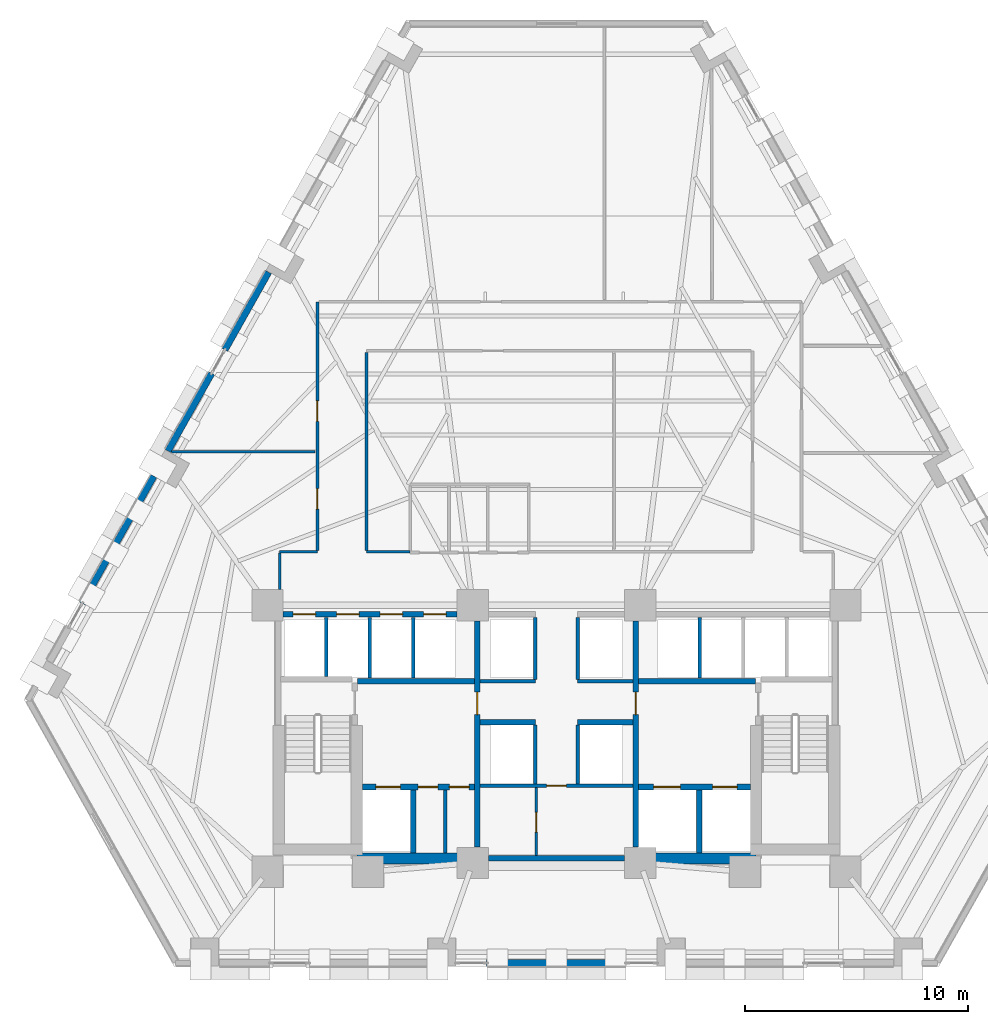
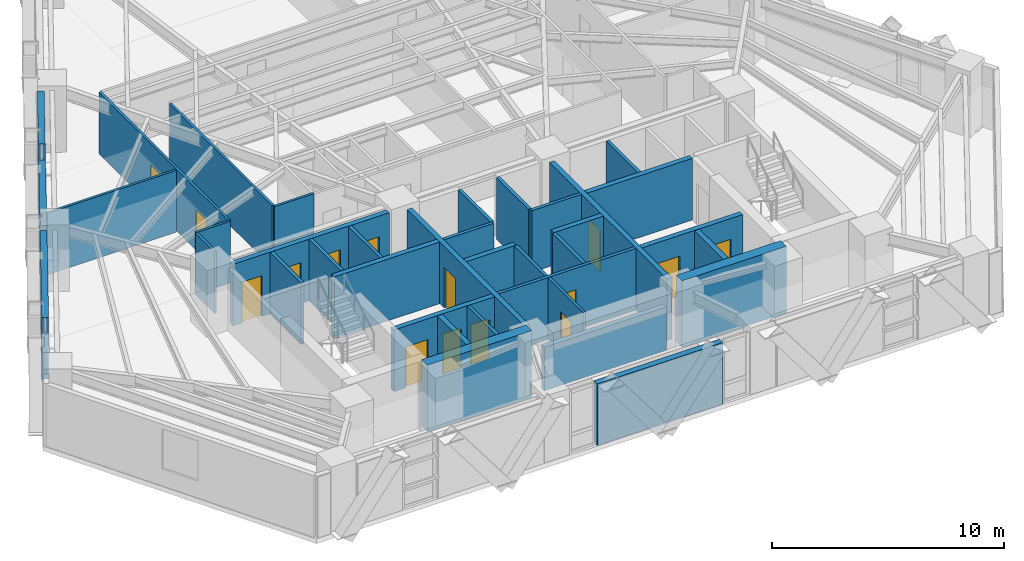
# One storey, part 7 of 13: 37 walls, 15 doors, 15 openings.
"""IFC4 building model written with IfcOpenShell, lengths in metres."""

from ifc_helpers import new_model, si_unit, direction, frame, frame_2d, origin, place, context, subcontext, project, spatial, rectangle, extrude, material, layer, layer_set, type_object, element, fill, save


model = new_model("IFC4")

# Units and contexts
model_context = context("Model", 3, precision=1e-05, world=origin(), true_north=direction((0.0, 1.0)))
body_context = subcontext(model_context, "Body", "Model", "MODEL_VIEW")
ifc_project = project(units=[si_unit("LENGTHUNIT", "METRE"), si_unit("AREAUNIT", "SQUARE_METRE"), si_unit("VOLUMEUNIT", "CUBIC_METRE"), si_unit("PLANEANGLEUNIT", "RADIAN"), si_unit("MASSUNIT", "GRAM", prefix="KILO")], contexts=[model_context])

# Site, building, storey
site_placement = place(None, origin())
site = spatial("IfcSite", under=ifc_project, at=site_placement, CompositionType="ELEMENT")
building_placement = place(site_placement, origin())
building = spatial("IfcBuilding", under=site, at=building_placement, Name="Quenlor Broadcast Tower", CompositionType="ELEMENT")
storey_placement = place(building_placement, frame((0.0, 0.0, 59.10009765625)))
storey = spatial("IfcBuildingStorey", under=building, at=storey_placement, Name="L15", CompositionType="ELEMENT", Elevation=59.10009765625)

# Walls
ifc_material_1 = material(Name="Concrete C65/80", Category="concrete")
ifc_layer_1 = layer(ifc_material_1, 0.5)
ifc_layer_set_1 = layer_set([ifc_layer_1], Name="Core Concrete C65/80 Shear Wall 500")
wall_type_1 = type_object("IfcWallType", Name="Core Concrete C65/80 Shear Wall 500", PredefinedType="SHEAR", material=ifc_layer_set_1)
for number, where, z_axis, x_axis, name in (
    (1, (-8.949951171875, -16.14990234375, 0.0), (0.0, 0.0, 1.0), (1.0, 0.0, 0.0), "L15 Core Shear Wall WS-W2"),
    (2, (3.75, -16.14990234375, 0.0), (0.0, 0.0, 1.0), (1.0, 0.0, 0.0), "L15 Core Shear Wall WS-E1"),
):
    element("IfcWall", number, at=place(storey_placement, frame(where, z_axis=z_axis, x_axis=x_axis)), inside=storey, type_object=wall_type_1, Name=name, PredefinedType="SHEAR", context=body_context, shape_type="SweptSolid", body=[
        extrude(rectangle(XDim=5.199951171875, YDim=0.5, at=frame_2d((2.60009765625, 0.0))), origin(), (0.0, 0.0, 1.0), 3.5),
    ])

# Wall, openings, doors
ifc_material_2 = material(Name="Concrete C40/50", Category="concrete")
ifc_layer_2 = layer(ifc_material_2, 0.25)
ifc_layer_set_2 = layer_set([ifc_layer_2], Name="Fire Rated Concrete C40/50 Core Wall 250")
wall_type_2 = type_object("IfcWallType", Name="Fire Rated Concrete C40/50 Core Wall 250", PredefinedType="PARTITIONING", material=ifc_layer_set_2)
wall_1_placement = place(storey_placement, frame((-8.697998046875, -12.949951171875, 0.0), z_axis=(0.0, 0.0, 1.0), x_axis=(1.0, 0.0, 0.0)))
wall_1 = element("IfcWall", 3, at=wall_1_placement, inside=storey, type_object=wall_type_2, Name="L15 Interior Wall CW-FFW-S", PredefinedType="PARTITIONING", context=body_context, shape_type="SweptSolid", body=[
    extrude(rectangle(XDim=5.01806640625, YDim=0.25, at=frame_2d((2.509033203125, 0.0))), origin(), (0.0, 0.0, 1.0), 3.25),
])
opening_1_placement = place(wall_1_placement, frame((0.597900390625, 0.0, 0.0)))
opening_1 = element("IfcOpeningElement", 4, at=opening_1_placement, cuts=wall_1, Name="Opening LD-FFL-1", PredefinedType="OPENING", context=body_context, shape_type="SweptSolid", body=[
    extrude(rectangle(XDim=1.10009765625, YDim=2.14990234375, at=frame_2d((0.550048828125, 1.074951171875))), frame((0.0, 0.135009765625, 0.0), z_axis=(0.0, -1.0, 0.0), x_axis=(1.0, 0.0, 0.0)), (0.0, 0.0, 1.0), 0.27001953125),
])
opening_2_placement = place(wall_1_placement, frame((2.498046875, 0.0, 0.0)))
opening_2 = element("IfcOpeningElement", 5, at=opening_2_placement, cuts=wall_1, Name="Opening TD-1", PredefinedType="OPENING", context=body_context, shape_type="SweptSolid", body=[
    extrude(rectangle(XDim=0.8798828125, YDim=2.10009765625, at=frame_2d((0.43994140625, 1.050048828125))), frame((0.0, 0.135009765625, 0.0), z_axis=(0.0, -1.0, 0.0), x_axis=(1.0, 0.0, 0.0)), (0.0, 0.0, 1.0), 0.27001953125),
])
opening_3_placement = place(wall_1_placement, frame((3.89794921875, 0.0, 0.0)))
opening_3 = element("IfcOpeningElement", 6, at=opening_3_placement, cuts=wall_1, Name="Opening TD-1", PredefinedType="OPENING", context=body_context, shape_type="SweptSolid", body=[
    extrude(rectangle(XDim=0.8798828125, YDim=2.10009765625, at=frame_2d((0.43994140625, 1.050048828125))), frame((0.0, 0.135009765625, 0.0), z_axis=(0.0, -1.0, 0.0), x_axis=(1.0, 0.0, 0.0)), (0.0, 0.0, 1.0), 0.27001953125),
])
ifc_material_3 = material(Name="Brushed Stainless Steel", Category="steel")
door_type_1 = type_object("IfcDoorType", Name="Emergency Lift Sliding Landing Door 1100x2150", OperationType="NOTDEFINED", PredefinedType="DOOR", material=ifc_material_3)
door_1_placement = place(opening_1_placement, origin())
door_1 = element("IfcDoor", 7, at=door_1_placement, inside=storey, type_object=door_type_1, Name="L15 Door LD-FFL-1", OperationType="SLIDING_TO_LEFT", OverallHeight=2.14990234375, OverallWidth=1.10009765625, PredefinedType="DOOR", context=body_context, shape_type="SweptSolid", body=[
    extrude(rectangle(XDim=1.10009765625, YDim=2.14990234375, at=frame_2d((0.550048828125, 1.074951171875))), frame((0.0, 0.02490234375, 0.0), z_axis=(0.0, -1.0, 0.0), x_axis=(1.0, 0.0, 0.0)), (0.0, 0.0, 1.0), 0.050048828125),
])
fill(opening_1, door_1)
ifc_material_4 = material(Name="Fire Rated Steel Access Panel", Category="steel")
door_type_2 = type_object("IfcDoorType", Name="Riser Shaft Rated Access Trapdoor 880x2100", OperationType="NOTDEFINED", PredefinedType="TRAPDOOR", material=ifc_material_4)
door_2_placement = place(opening_2_placement, origin())
door_2 = element("IfcDoor", 8, at=door_2_placement, inside=storey, type_object=door_type_2, Name="L15 Door DR-ELR", OperationType="SINGLE_SWING_LEFT", OverallHeight=2.10009765625, OverallWidth=0.8798828125, PredefinedType="TRAPDOOR", context=body_context, shape_type="SweptSolid", body=[
    extrude(rectangle(XDim=0.8798828125, YDim=2.10009765625, at=frame_2d((0.43994140625, 1.050048828125))), frame((0.0, 0.02490234375, 0.0), z_axis=(0.0, -1.0, 0.0), x_axis=(1.0, 0.0, 0.0)), (0.0, 0.0, 1.0), 0.050048828125),
])
fill(opening_2, door_2)
door_3_placement = place(opening_3_placement, origin())
door_3 = element("IfcDoor", 9, at=door_3_placement, inside=storey, type_object=door_type_2, Name="L15 Door DR-CMR", OperationType="SINGLE_SWING_RIGHT", OverallHeight=2.10009765625, OverallWidth=0.8798828125, PredefinedType="TRAPDOOR", context=body_context, shape_type="SweptSolid", body=[
    extrude(rectangle(XDim=0.8798828125, YDim=2.10009765625, at=frame_2d((0.43994140625, 1.050048828125))), frame((0.0, 0.02490234375, 0.0), z_axis=(0.0, -1.0, 0.0), x_axis=(1.0, 0.0, 0.0)), (0.0, 0.0, 1.0), 0.050048828125),
])
fill(opening_3, door_3)

wall_2_placement = place(storey_placement, frame((3.679931640625, -12.949951171875, 0.0), z_axis=(0.0, 0.0, 1.0), x_axis=(1.0, 0.0, 0.0)))
wall_2 = element("IfcWall", 10, at=wall_2_placement, inside=storey, type_object=wall_type_2, Name="L15 Interior Wall CW-FFE-S", PredefinedType="PARTITIONING", context=body_context, shape_type="SweptSolid", body=[
    extrude(rectangle(XDim=5.01806640625, YDim=0.25, at=frame_2d((2.509033203125, 0.0))), origin(), (0.0, 0.0, 1.0), 3.25),
])
opening_4_placement = place(wall_2_placement, frame((3.320068359375, 0.0, 0.0)))
opening_4 = element("IfcOpeningElement", 11, at=opening_4_placement, cuts=wall_2, Name="Opening LD-FFL-2", PredefinedType="OPENING", context=body_context, shape_type="SweptSolid", body=[
    extrude(rectangle(XDim=1.10009765625, YDim=2.14990234375, at=frame_2d((0.550048828125, 1.074951171875))), frame((0.0, 0.135009765625, 0.0), z_axis=(0.0, -1.0, 0.0), x_axis=(1.0, 0.0, 0.0)), (0.0, 0.0, 1.0), 0.27001953125),
])
opening_5_placement = place(wall_2_placement, frame((0.669921875, 0.0, 0.0)))
opening_5 = element("IfcOpeningElement", 12, at=opening_5_placement, cuts=wall_2, Name="Opening LD-SVL-1", PredefinedType="OPENING", context=body_context, shape_type="SweptSolid", body=[
    extrude(rectangle(XDim=1.199951171875, YDim=2.14990234375, at=frame_2d((0.60009765625, 1.074951171875))), frame((0.0, 0.135009765625, 0.0), z_axis=(0.0, -1.0, 0.0), x_axis=(1.0, 0.0, 0.0)), (0.0, 0.0, 1.0), 0.27001953125),
])
door_4_placement = place(opening_4_placement, origin())
door_4 = element("IfcDoor", 13, at=door_4_placement, inside=storey, type_object=door_type_1, Name="L15 Door LD-FFL-2", OperationType="SLIDING_TO_RIGHT", OverallHeight=2.14990234375, OverallWidth=1.10009765625, PredefinedType="DOOR", context=body_context, shape_type="SweptSolid", body=[
    extrude(rectangle(XDim=1.10009765625, YDim=2.14990234375, at=frame_2d((0.550048828125, 1.074951171875))), frame((0.0, 0.02490234375, 0.0), z_axis=(0.0, -1.0, 0.0), x_axis=(1.0, 0.0, 0.0)), (0.0, 0.0, 1.0), 0.050048828125),
])
fill(opening_4, door_4)
ifc_material_5 = material(Name="Brushed Stainless Steel", Category="steel")
door_type_3 = type_object("IfcDoorType", Name="Goods Lift Sliding Landing Door 1200x2150", OperationType="NOTDEFINED", PredefinedType="DOOR", material=ifc_material_5)
door_5_placement = place(opening_5_placement, origin())
door_5 = element("IfcDoor", 14, at=door_5_placement, inside=storey, type_object=door_type_3, Name="L15 Door LD-SVL-1", OperationType="SLIDING_TO_LEFT", OverallHeight=2.14990234375, OverallWidth=1.199951171875, PredefinedType="DOOR", context=body_context, shape_type="SweptSolid", body=[
    extrude(rectangle(XDim=1.199951171875, YDim=2.14990234375, at=frame_2d((0.60009765625, 1.074951171875))), frame((0.0, 0.02490234375, 0.0), z_axis=(0.0, -1.0, 0.0), x_axis=(1.0, 0.0, 0.0)), (0.0, 0.0, 1.0), 0.050048828125),
])
fill(opening_5, door_5)

# Walls
for number, where, z_axis, x_axis, name in (
    (15, (-6.419921875, -15.89794921875, 0.0), (0.0, 0.0, 1.0), (0.0, 1.0, 0.0), "L15 Interior Wall CW-FF1-E"),
    (16, (6.39990234375, -15.89794921875, 0.0), (0.0, 0.0, 1.0), (0.0, 1.0, 0.0), "L15 Interior Wall CW-SV1-E"),
):
    element("IfcWall", number, at=place(storey_placement, frame(where, z_axis=z_axis, x_axis=x_axis)), inside=storey, type_object=wall_type_2, Name=name, PredefinedType="PARTITIONING", context=body_context, shape_type="SweptSolid", body=[
        extrude(rectangle(XDim=2.807861328125, YDim=0.25, at=frame_2d((1.40380859375, 0.0))), origin(), (0.0, 0.0, 1.0), 3.25),
    ])
for number, where, z_axis, x_axis, name in (
    (17, (-8.919921875, -8.199951171875, 0.0), (0.0, 0.0, 1.0), (1.0, 0.0, 0.0), "L15 Interior Wall CW-FFW-N"),
    (18, (3.679931640625, -8.199951171875, 0.0), (0.0, 0.0, 1.0), (1.0, 0.0, 0.0), "L15 Interior Wall CW-FFE-N"),
):
    element("IfcWall", number, at=place(storey_placement, frame(where, z_axis=z_axis, x_axis=x_axis)), inside=storey, type_object=wall_type_2, Name=name, PredefinedType="PARTITIONING", context=body_context, shape_type="SweptSolid", body=[
        extrude(rectangle(XDim=5.239990234375, YDim=0.25, at=frame_2d((2.6201171875, 0.0))), origin(), (0.0, 0.0, 1.0), 3.25),
    ])

# Wall, opening, door
wall_3_placement = place(storey_placement, frame((-3.550048828125, -15.64794921875, 0.0), z_axis=(0.0, 0.0, 1.0), x_axis=(0.0, 1.0, 0.0)))
wall_3 = element("IfcWall", 19, at=wall_3_placement, inside=storey, type_object=wall_type_2, Name="L15 Interior Wall CW-FFW-E", PredefinedType="PARTITIONING", context=body_context, shape_type="SweptSolid", body=[
    extrude(rectangle(XDim=10.14599609375, YDim=0.25, at=frame_2d((5.072998046875, 0.0))), origin(), (0.0, 0.0, 1.0), 3.25),
])
opening_6_placement = place(wall_3_placement, frame((5.947998046875, 0.0, 0.0)))
opening_6 = element("IfcOpeningElement", 20, at=opening_6_placement, cuts=wall_3, Name="Opening FD-2", PredefinedType="OPENING", context=body_context, shape_type="SweptSolid", body=[
    extrude(rectangle(XDim=1.0, YDim=2.14990234375, at=frame_2d((0.5, 1.074951171875))), frame((0.0, 0.135009765625, 0.0), z_axis=(0.0, -1.0, 0.0), x_axis=(1.0, 0.0, 0.0)), (0.0, 0.0, 1.0), 0.27001953125),
])
ifc_material_6 = material(Name="Fire Rated Glazed Steel Door", Category="steel")
door_type_4 = type_object("IfcDoorType", Name="Firefighting Lobby Smoke Door 1000x2150", OperationType="NOTDEFINED", PredefinedType="DOOR", material=ifc_material_6)
door_6_placement = place(opening_6_placement, origin())
door_6 = element("IfcDoor", 21, at=door_6_placement, inside=storey, type_object=door_type_4, Name="L15 Door DR-FFLW", OperationType="SINGLE_SWING_RIGHT", OverallHeight=2.14990234375, OverallWidth=1.0, PredefinedType="DOOR", context=body_context, shape_type="SweptSolid", body=[
    extrude(rectangle(XDim=1.0, YDim=2.14990234375, at=frame_2d((0.5, 1.074951171875))), frame((0.0, 0.02490234375, 0.0), z_axis=(0.0, -1.0, 0.0), x_axis=(1.0, 0.0, 0.0)), (0.0, 0.0, 1.0), 0.050048828125),
])
fill(opening_6, door_6)

wall_4_placement = place(storey_placement, frame((3.550048828125, -15.64794921875, 0.0), z_axis=(0.0, 0.0, 1.0), x_axis=(0.0, 1.0, 0.0)))
wall_4 = element("IfcWall", 22, at=wall_4_placement, inside=storey, type_object=wall_type_2, Name="L15 Interior Wall CW-FFE-W", PredefinedType="PARTITIONING", context=body_context, shape_type="SweptSolid", body=[
    extrude(rectangle(XDim=10.14599609375, YDim=0.25, at=frame_2d((5.072998046875, 0.0))), origin(), (0.0, 0.0, 1.0), 3.25),
])
opening_7_placement = place(wall_4_placement, frame((5.947998046875, 0.0, 0.0)))
opening_7 = element("IfcOpeningElement", 23, at=opening_7_placement, cuts=wall_4, Name="Opening FD-2", PredefinedType="OPENING", context=body_context, shape_type="SweptSolid", body=[
    extrude(rectangle(XDim=1.0, YDim=2.14990234375, at=frame_2d((0.5, 1.074951171875))), frame((0.0, 0.135009765625, 0.0), z_axis=(0.0, -1.0, 0.0), x_axis=(1.0, 0.0, 0.0)), (0.0, 0.0, 1.0), 0.27001953125),
])
door_7_placement = place(opening_7_placement, origin())
door_7 = element("IfcDoor", 24, at=door_7_placement, inside=storey, type_object=door_type_4, Name="L15 Door DR-FFLE", OperationType="SINGLE_SWING_LEFT", OverallHeight=2.14990234375, OverallWidth=1.0, PredefinedType="DOOR", context=body_context, shape_type="SweptSolid", body=[
    extrude(rectangle(XDim=1.0, YDim=2.14990234375, at=frame_2d((0.5, 1.074951171875))), frame((0.0, 0.02490234375, 0.0), z_axis=(0.0, -1.0, 0.0), x_axis=(1.0, 0.0, 0.0)), (0.0, 0.0, 1.0), 0.050048828125),
])
fill(opening_7, door_7)

# Wall, openings, doors
wall_5_placement = place(storey_placement, frame((-12.248046875, -5.199951171875, 0.0), z_axis=(0.0, 0.0, 1.0), x_axis=(1.0, 0.0, 0.0)))
wall_5 = element("IfcWall", 25, at=wall_5_placement, inside=storey, type_object=wall_type_2, Name="L15 Interior Wall CW-N-W", PredefinedType="PARTITIONING", context=body_context, shape_type="SweptSolid", body=[
    extrude(rectangle(XDim=7.796142578125, YDim=0.25, at=frame_2d((3.89794921875, 0.0))), origin(), (0.0, 0.0, 1.0), 3.25),
])
opening_8_placement = place(wall_5_placement, frame((0.447998046875, 0.0, 0.0)))
opening_8 = element("IfcOpeningElement", 26, at=opening_8_placement, cuts=wall_5, Name="Opening LD-PL-L1", PredefinedType="OPENING", context=body_context, shape_type="SweptSolid", body=[
    extrude(rectangle(XDim=1.0, YDim=2.14990234375, at=frame_2d((0.5, 1.074951171875))), frame((0.0, 0.135009765625, 0.0), z_axis=(0.0, -1.0, 0.0), x_axis=(1.0, 0.0, 0.0)), (0.0, 0.0, 1.0), 0.27001953125),
])
opening_9_placement = place(wall_5_placement, frame((2.39794921875, 0.0, 0.0)))
opening_9 = element("IfcOpeningElement", 27, at=opening_9_placement, cuts=wall_5, Name="Opening LD-PL-L2", PredefinedType="OPENING", context=body_context, shape_type="SweptSolid", body=[
    extrude(rectangle(XDim=1.0, YDim=2.14990234375, at=frame_2d((0.5, 1.074951171875))), frame((0.0, 0.135009765625, 0.0), z_axis=(0.0, -1.0, 0.0), x_axis=(1.0, 0.0, 0.0)), (0.0, 0.0, 1.0), 0.27001953125),
])
opening_10_placement = place(wall_5_placement, frame((4.347900390625, 0.0, 0.0)))
opening_10 = element("IfcOpeningElement", 28, at=opening_10_placement, cuts=wall_5, Name="Opening LD-PL-L3", PredefinedType="OPENING", context=body_context, shape_type="SweptSolid", body=[
    extrude(rectangle(XDim=1.0, YDim=2.14990234375, at=frame_2d((0.5, 1.074951171875))), frame((0.0, 0.135009765625, 0.0), z_axis=(0.0, -1.0, 0.0), x_axis=(1.0, 0.0, 0.0)), (0.0, 0.0, 1.0), 0.27001953125),
])
opening_11_placement = place(wall_5_placement, frame((6.298095703125, 0.0, 0.0)))
opening_11 = element("IfcOpeningElement", 29, at=opening_11_placement, cuts=wall_5, Name="Opening LD-PL-L4", PredefinedType="OPENING", context=body_context, shape_type="SweptSolid", body=[
    extrude(rectangle(XDim=1.0, YDim=2.14990234375, at=frame_2d((0.5, 1.074951171875))), frame((0.0, 0.135009765625, 0.0), z_axis=(0.0, -1.0, 0.0), x_axis=(1.0, 0.0, 0.0)), (0.0, 0.0, 1.0), 0.27001953125),
])
ifc_material_7 = material(Name="Brushed Stainless Steel", Category="steel")
door_type_5 = type_object("IfcDoorType", Name="Passenger Lift Sliding Landing Door 1000x2150", OperationType="NOTDEFINED", PredefinedType="DOOR", material=ifc_material_7)
door_8_placement = place(opening_8_placement, origin())
door_8 = element("IfcDoor", 30, at=door_8_placement, inside=storey, type_object=door_type_5, Name="L15 Door LD-PL-L1", OperationType="SLIDING_TO_LEFT", OverallHeight=2.14990234375, OverallWidth=1.0, PredefinedType="DOOR", context=body_context, shape_type="SweptSolid", body=[
    extrude(rectangle(XDim=1.0, YDim=2.14990234375, at=frame_2d((0.5, 1.074951171875))), frame((0.0, 0.02490234375, 0.0), z_axis=(0.0, -1.0, 0.0), x_axis=(1.0, 0.0, 0.0)), (0.0, 0.0, 1.0), 0.050048828125),
])
fill(opening_8, door_8)
door_9_placement = place(opening_9_placement, origin())
door_9 = element("IfcDoor", 31, at=door_9_placement, inside=storey, type_object=door_type_5, Name="L15 Door LD-PL-L2", OperationType="SLIDING_TO_LEFT", OverallHeight=2.14990234375, OverallWidth=1.0, PredefinedType="DOOR", context=body_context, shape_type="SweptSolid", body=[
    extrude(rectangle(XDim=1.0, YDim=2.14990234375, at=frame_2d((0.5, 1.074951171875))), frame((0.0, 0.02490234375, 0.0), z_axis=(0.0, -1.0, 0.0), x_axis=(1.0, 0.0, 0.0)), (0.0, 0.0, 1.0), 0.050048828125),
])
fill(opening_9, door_9)
door_10_placement = place(opening_10_placement, origin())
door_10 = element("IfcDoor", 32, at=door_10_placement, inside=storey, type_object=door_type_5, Name="L15 Door LD-PL-L3", OperationType="SLIDING_TO_LEFT", OverallHeight=2.14990234375, OverallWidth=1.0, PredefinedType="DOOR", context=body_context, shape_type="SweptSolid", body=[
    extrude(rectangle(XDim=1.0, YDim=2.14990234375, at=frame_2d((0.5, 1.074951171875))), frame((0.0, 0.02490234375, 0.0), z_axis=(0.0, -1.0, 0.0), x_axis=(1.0, 0.0, 0.0)), (0.0, 0.0, 1.0), 0.050048828125),
])
fill(opening_10, door_10)
door_11_placement = place(opening_11_placement, origin())
door_11 = element("IfcDoor", 33, at=door_11_placement, inside=storey, type_object=door_type_5, Name="L15 Door LD-PL-L4", OperationType="SLIDING_TO_LEFT", OverallHeight=2.14990234375, OverallWidth=1.0, PredefinedType="DOOR", context=body_context, shape_type="SweptSolid", body=[
    extrude(rectangle(XDim=1.0, YDim=2.14990234375, at=frame_2d((0.5, 1.074951171875))), frame((0.0, 0.02490234375, 0.0), z_axis=(0.0, -1.0, 0.0), x_axis=(1.0, 0.0, 0.0)), (0.0, 0.0, 1.0), 0.050048828125),
])
fill(opening_11, door_11)

# Walls
wall_6_placement = place(storey_placement, frame((-3.048095703125, -16.14990234375, 0.0), z_axis=(0.0, 0.0, 1.0), x_axis=(1.0, 0.0, 0.0)))
element("IfcWall", 34, at=wall_6_placement, inside=storey, type_object=wall_type_2, Name="L15 Interior Wall CW-MS-S", PredefinedType="PARTITIONING", context=body_context, shape_type="SweptSolid", body=[
    extrude(rectangle(XDim=6.09619140625, YDim=0.25, at=frame_2d((3.048095703125, 0.0))), origin(), (0.0, 0.0, 1.0), 2.2998046875),
])
for number, where, z_axis, x_axis, name in (
    (35, (-3.419921875, -10.050048828125, 0.0), (0.0, 0.0, 1.0), (1.0, 0.0, 0.0), "L15 Interior Wall CW-MS-N1"),
    (36, (0.949951171875, -10.050048828125, 0.0), (0.0, 0.0, 1.0), (1.0, 0.0, 0.0), "L15 Interior Wall CW-MS-N2"),
):
    element("IfcWall", number, at=place(storey_placement, frame(where, z_axis=z_axis, x_axis=x_axis)), inside=storey, type_object=wall_type_2, Name=name, PredefinedType="PARTITIONING", context=body_context, shape_type="SweptSolid", body=[
        extrude(rectangle(XDim=2.469970703125, YDim=0.25, at=frame_2d((1.23486328125, 0.0))), origin(), (0.0, 0.0, 1.0), 3.25),
    ])
ifc_material_8 = material(Name="Gypsum Fireboard Partition", Category="other")
ifc_layer_3 = layer(ifc_material_8, 0.159912109375)
ifc_layer_set_3 = layer_set([ifc_layer_3], Name="Fire Rated Shaft and Corridor Partition 160")
wall_type_3 = type_object("IfcWallType", Name="Fire Rated Shaft and Corridor Partition 160", PredefinedType="PARTITIONING", material=ifc_layer_set_3)
wall_7_placement = place(storey_placement, frame((-4.97998046875, -15.89794921875, 0.0), z_axis=(0.0, 0.0, 1.0), x_axis=(0.0, 1.0, 0.0)))
element("IfcWall", 37, at=wall_7_placement, inside=storey, type_object=wall_type_3, Name="L15 Interior Wall CW-ELR-E", PredefinedType="PARTITIONING", context=body_context, shape_type="SweptSolid", body=[
    extrude(rectangle(XDim=2.807861328125, YDim=0.159912109375, at=frame_2d((1.40380859375, 0.0))), origin(), (0.0, 0.0, 1.0), 3.25),
])
wall_8_placement = place(storey_placement, frame((-10.324951171875, -7.992919921875, 0.0), z_axis=(0.0, 0.0, 1.0), x_axis=(0.0, 1.0, 0.0)))
element("IfcWall", 38, at=wall_8_placement, inside=storey, type_object=wall_type_3, Name="L15 Interior Wall CW-PLL-D1", PredefinedType="PARTITIONING", context=body_context, shape_type="SweptSolid", body=[
    extrude(rectangle(XDim=2.65283203125, YDim=0.159912109375, at=frame_2d((1.326416015625, 0.0))), origin(), (0.0, 0.0, 1.0), 3.25),
])
for number, where, z_axis, x_axis, name in (
    (39, (-8.375, -8.072998046875, 0.0), (0.0, 0.0, 1.0), (0.0, 1.0, 0.0), "L15 Interior Wall CW-PLL-D2"),
    (40, (-6.425048828125, -8.072998046875, 0.0), (0.0, 0.0, 1.0), (0.0, 1.0, 0.0), "L15 Interior Wall CW-PLL-D3"),
    (41, (6.425048828125, -8.072998046875, 0.0), (0.0, 0.0, 1.0), (0.0, 1.0, 0.0), "L15 Interior Wall CW-PLH-D1"),
):
    element("IfcWall", number, at=place(storey_placement, frame(where, z_axis=z_axis, x_axis=x_axis)), inside=storey, type_object=wall_type_3, Name=name, PredefinedType="PARTITIONING", context=body_context, shape_type="SweptSolid", body=[
        extrude(rectangle(XDim=2.73291015625, YDim=0.159912109375, at=frame_2d((1.366455078125, 0.0))), origin(), (0.0, 0.0, 1.0), 3.25),
    ])
for number, where, z_axis, x_axis, name in (
    (42, (-0.949951171875, -8.1201171875, 0.0), (0.0, 0.0, 1.0), (0.0, 1.0, 0.0), "L15 Interior Wall CW-CCRP-W"),
    (43, (0.949951171875, -8.1201171875, 0.0), (0.0, 0.0, 1.0), (0.0, 1.0, 0.0), "L15 Interior Wall CW-CCRP-E"),
):
    element("IfcWall", number, at=place(storey_placement, frame(where, z_axis=z_axis, x_axis=x_axis)), inside=storey, type_object=wall_type_3, Name=name, PredefinedType="PARTITIONING", context=body_context, shape_type="SweptSolid", body=[
        extrude(rectangle(XDim=2.780029296875, YDim=0.159912109375, at=frame_2d((1.39013671875, 0.0))), origin(), (0.0, 0.0, 1.0), 3.25),
    ])
for number, where, z_axis, x_axis, name in (
    (44, (-3.419921875, -8.199951171875, 0.0), (0.0, 0.0, 1.0), (1.0, 0.0, 0.0), "L15 Interior Wall CW-M-BACK1"),
    (45, (0.949951171875, -8.199951171875, 0.0), (0.0, 0.0, 1.0), (1.0, 0.0, 0.0), "L15 Interior Wall CW-M-BACK2"),
):
    element("IfcWall", number, at=place(storey_placement, frame(where, z_axis=z_axis, x_axis=x_axis)), inside=storey, type_object=wall_type_3, Name=name, PredefinedType="PARTITIONING", context=body_context, shape_type="SweptSolid", body=[
        extrude(rectangle(XDim=2.469970703125, YDim=0.159912109375, at=frame_2d((1.23486328125, 0.0))), origin(), (0.0, 0.0, 1.0), 3.25),
    ])

# Wall, opening, door
wall_9_placement = place(storey_placement, frame((-3.419921875, -12.89990234375, 0.0), z_axis=(0.0, 0.0, 1.0), x_axis=(1.0, 0.0, 0.0)))
wall_9 = element("IfcWall", 46, at=wall_9_placement, inside=storey, type_object=wall_type_3, Name="L15 Interior Wall CW-MS-B", PredefinedType="PARTITIONING", context=body_context, shape_type="SweptSolid", body=[
    extrude(rectangle(XDim=6.83984375, YDim=0.159912109375, at=frame_2d((3.419921875, 0.0))), origin(), (0.0, 0.0, 1.0), 3.25),
])
opening_12_placement = place(wall_9_placement, frame((2.97998046875, 0.0, 0.0)))
opening_12 = element("IfcOpeningElement", 47, at=opening_12_placement, cuts=wall_9, Name="Opening ID-4", PredefinedType="OPENING", context=body_context, shape_type="SweptSolid", body=[
    extrude(rectangle(XDim=0.8798828125, YDim=2.1201171875, at=frame_2d((0.43994140625, 1.06005859375))), frame((0.0, 0.08984375, 0.0), z_axis=(0.0, -1.0, 0.0), x_axis=(1.0, 0.0, 0.0)), (0.0, 0.0, 1.0), 0.179931640625),
])
ifc_material_9 = material(Name="Solid Core Timber Oak", Category="wood")
door_type_6 = type_object("IfcDoorType", Name="Service Closet Timber Door 880x2120", OperationType="NOTDEFINED", PredefinedType="DOOR", material=ifc_material_9)
door_12_placement = place(opening_12_placement, origin())
door_12 = element("IfcDoor", 48, at=door_12_placement, inside=storey, type_object=door_type_6, Name="L15 Door DR-CSV0", OperationType="SINGLE_SWING_LEFT", OverallHeight=2.1201171875, OverallWidth=0.8798828125, PredefinedType="DOOR", context=body_context, shape_type="SweptSolid", body=[
    extrude(rectangle(XDim=0.8798828125, YDim=2.1201171875, at=frame_2d((0.43994140625, 1.06005859375))), frame((0.0, 0.02490234375, 0.0), z_axis=(0.0, -1.0, 0.0), x_axis=(1.0, 0.0, 0.0)), (0.0, 0.0, 1.0), 0.050048828125),
])
fill(opening_12, door_12)

# Walls
for number, where, z_axis, x_axis, name in (
    (49, (-0.949951171875, -12.818115234375, 0.0), (0.0, 0.0, 1.0), (0.0, 1.0, 0.0), "L15 Interior Wall CW-MS-W"),
    (50, (0.949951171875, -12.818115234375, 0.0), (0.0, 0.0, 1.0), (0.0, 1.0, 0.0), "L15 Interior Wall CW-MS-E"),
):
    element("IfcWall", number, at=place(storey_placement, frame(where, z_axis=z_axis, x_axis=x_axis)), inside=storey, type_object=wall_type_3, Name=name, PredefinedType="PARTITIONING", context=body_context, shape_type="SweptSolid", body=[
        extrude(rectangle(XDim=2.63818359375, YDim=0.159912109375, at=frame_2d((1.319091796875, 0.0))), origin(), (0.0, 0.0, 1.0), 3.25),
    ])

# Wall, opening, door
ifc_material_10 = material(Name="Gypsum Plasterboard Partition", Category="other")
ifc_layer_4 = layer(ifc_material_10, 0.1201171875)
ifc_layer_set_4 = layer_set([ifc_layer_4], Name="Standard Office Partition 120")
wall_type_4 = type_object("IfcWallType", Name="Standard Office Partition 120", PredefinedType="PARTITIONING", material=ifc_layer_set_4)
wall_10_placement = place(storey_placement, frame((-0.909912109375, -16.02001953125, 0.0), z_axis=(0.0, 0.0, 1.0), x_axis=(0.0, 1.0, 0.0)))
wall_10 = element("IfcWall", 51, at=wall_10_placement, inside=storey, type_object=wall_type_4, Name="L15 Interior Wall CW-CSV-W1", PredefinedType="PARTITIONING", context=body_context, shape_type="SweptSolid", body=[
    extrude(rectangle(XDim=3.0380859375, YDim=0.1201171875, at=frame_2d((1.51904296875, 0.0))), origin(), (0.0, 0.0, 1.0), 3.25),
])
opening_13_placement = place(wall_10_placement, frame((1.050048828125, 0.0, 0.0)))
opening_13 = element("IfcOpeningElement", 52, at=opening_13_placement, cuts=wall_10, Name="Opening ID-4", PredefinedType="OPENING", context=body_context, shape_type="SweptSolid", body=[
    extrude(rectangle(XDim=0.8798828125, YDim=2.1201171875, at=frame_2d((0.43994140625, 1.06005859375))), frame((0.0, 0.070068359375, 0.0), z_axis=(0.0, -1.0, 0.0), x_axis=(1.0, 0.0, 0.0)), (0.0, 0.0, 1.0), 0.14013671875),
])
door_13_placement = place(opening_13_placement, origin())
door_13 = element("IfcDoor", 53, at=door_13_placement, inside=storey, type_object=door_type_6, Name="L15 Door DR-CSV1", OperationType="SINGLE_SWING_LEFT", OverallHeight=2.1201171875, OverallWidth=0.8798828125, PredefinedType="DOOR", context=body_context, shape_type="SweptSolid", body=[
    extrude(rectangle(XDim=0.8798828125, YDim=2.1201171875, at=frame_2d((0.43994140625, 1.06005859375))), frame((0.0, 0.02490234375, 0.0), z_axis=(0.0, -1.0, 0.0), x_axis=(1.0, 0.0, 0.0)), (0.0, 0.0, 1.0), 0.050048828125),
])
fill(opening_13, door_13)

# Wall
wall_11_placement = place(storey_placement, frame((-12.409912109375, -2.39990234375, 0.0), z_axis=(0.0, 0.0, 1.0), x_axis=(1.0, 0.0, 0.0)))
element("IfcWall", 54, at=wall_11_placement, inside=storey, type_object=wall_type_4, Name="L15 Interior Wall PW-CR-01", PredefinedType="PARTITIONING", context=body_context, shape_type="SweptSolid", body=[
    extrude(rectangle(XDim=1.69482421875, YDim=0.1201171875, at=frame_2d((0.847412109375, 0.0))), origin(), (0.0, 0.0, 1.0), 3.25),
])

# Wall, openings, doors
wall_12_placement = place(storey_placement, frame((-10.715087890625, -2.337890625, 0.0), z_axis=(0.0, 0.0, 1.0), x_axis=(0.0, 1.0, 0.0)))
wall_12 = element("IfcWall", 55, at=wall_12_placement, inside=storey, type_object=wall_type_4, Name="L15 Interior Wall PW-CR-02", PredefinedType="PARTITIONING", context=body_context, shape_type="SweptSolid", body=[
    extrude(rectangle(XDim=11.137939453125, YDim=0.1201171875, at=frame_2d((5.56884765625, 0.0))), origin(), (0.0, 0.0, 1.0), 3.25),
])
opening_14_placement = place(wall_12_placement, frame((5.778076171875, 0.0, 0.0)))
opening_14 = element("IfcOpeningElement", 56, at=opening_14_placement, cuts=wall_12, Name="Opening ID-1", PredefinedType="OPENING", context=body_context, shape_type="SweptSolid", body=[
    extrude(rectangle(XDim=0.919921875, YDim=2.1201171875, at=frame_2d((0.4599609375, 1.06005859375))), frame((0.0, 0.070068359375, 0.0), z_axis=(0.0, -1.0, 0.0), x_axis=(1.0, 0.0, 0.0)), (0.0, 0.0, 1.0), 0.14013671875),
])
opening_15_placement = place(wall_12_placement, frame((1.846923828125, 0.0, 0.0)))
opening_15 = element("IfcOpeningElement", 57, at=opening_15_placement, cuts=wall_12, Name="Opening ID-1", PredefinedType="OPENING", context=body_context, shape_type="SweptSolid", body=[
    extrude(rectangle(XDim=0.919921875, YDim=2.1201171875, at=frame_2d((0.4599609375, 1.06005859375))), frame((0.0, 0.070068359375, 0.0), z_axis=(0.0, -1.0, 0.0), x_axis=(1.0, 0.0, 0.0)), (0.0, 0.0, 1.0), 0.14013671875),
])
ifc_material_11 = material(Name="Solid Core Timber Oak", Category="wood")
door_type_7 = type_object("IfcDoorType", Name="Single Leaf Timber Office Door 920x2120", OperationType="NOTDEFINED", PredefinedType="DOOR", material=ifc_material_11)
door_14_placement = place(opening_14_placement, origin())
door_14 = element("IfcDoor", 58, at=door_14_placement, inside=storey, type_object=door_type_7, Name="L15 Door DR-RM05", OperationType="SINGLE_SWING_LEFT", OverallHeight=2.1201171875, OverallWidth=0.919921875, PredefinedType="DOOR", context=body_context, shape_type="SweptSolid", body=[
    extrude(rectangle(XDim=0.919921875, YDim=2.1201171875, at=frame_2d((0.4599609375, 1.06005859375))), frame((0.0, 0.02490234375, 0.0), z_axis=(0.0, -1.0, 0.0), x_axis=(1.0, 0.0, 0.0)), (0.0, 0.0, 1.0), 0.050048828125),
])
fill(opening_14, door_14)
door_15_placement = place(opening_15_placement, origin())
door_15 = element("IfcDoor", 59, at=door_15_placement, inside=storey, type_object=door_type_7, Name="L15 Door DR-RM08", OperationType="SINGLE_SWING_RIGHT", OverallHeight=2.1201171875, OverallWidth=0.919921875, PredefinedType="DOOR", context=body_context, shape_type="SweptSolid", body=[
    extrude(rectangle(XDim=0.919921875, YDim=2.1201171875, at=frame_2d((0.4599609375, 1.06005859375))), frame((0.0, 0.02490234375, 0.0), z_axis=(0.0, -1.0, 0.0), x_axis=(1.0, 0.0, 0.0)), (0.0, 0.0, 1.0), 0.050048828125),
])
fill(opening_15, door_15)

# Walls
wall_13_placement = place(storey_placement, frame((-12.409912109375, -4.097900390625, 0.0), z_axis=(0.0, 0.0, 1.0), x_axis=(0.0, 1.0, 0.0)))
element("IfcWall", 60, at=wall_13_placement, inside=storey, type_object=wall_type_4, Name="L15 Interior Wall PW-CR-07", PredefinedType="PARTITIONING", context=body_context, shape_type="SweptSolid", body=[
    extrude(rectangle(XDim=1.635986328125, YDim=0.1201171875, at=frame_2d((0.81787109375, 0.0))), origin(), (0.0, 0.0, 1.0), 3.25),
])
wall_14_placement = place(storey_placement, frame((-8.514892578125, -2.39990234375, 0.0), z_axis=(0.0, 0.0, 1.0), x_axis=(1.0, 0.0, 0.0)))
element("IfcWall", 61, at=wall_14_placement, inside=storey, type_object=wall_type_4, Name="L15 Interior Wall PW-CR-08", PredefinedType="PARTITIONING", context=body_context, shape_type="SweptSolid", body=[
    extrude(rectangle(XDim=1.952880859375, YDim=0.1201171875, at=frame_2d((0.9765625, 0.0))), origin(), (0.0, 0.0, 1.0), 3.25),
])
wall_15_placement = place(storey_placement, frame((-8.514892578125, 6.5380859375, 0.0), z_axis=(0.0, 0.0, 1.0), x_axis=(0.0, -1.0, 0.0)))
element("IfcWall", 62, at=wall_15_placement, inside=storey, type_object=wall_type_4, Name="L15 Interior Wall PW-CR-11", PredefinedType="PARTITIONING", context=body_context, shape_type="SweptSolid", body=[
    extrude(rectangle(XDim=8.8759765625, YDim=0.1201171875, at=frame_2d((4.43798828125, 0.0))), origin(), (0.0, 0.0, 1.0), 3.25),
])
wall_16_placement = place(storey_placement, frame((-10.824951171875, 2.080078125, 0.0), z_axis=(0.0, 0.0, 1.0), x_axis=(-1.0, 0.0, 0.0)))
element("IfcWall", 63, at=wall_16_placement, inside=storey, type_object=wall_type_4, Name="L15 Interior Wall PW-DV-05", PredefinedType="PARTITIONING", context=body_context, shape_type="SweptSolid", body=[
    extrude(rectangle(XDim=6.4345703125, YDim=0.1201171875, at=frame_2d((3.21728515625, 0.0))), origin(), (0.0, 0.0, 1.0), 3.25),
])
ifc_material_12 = material(Name="Precast concrete C40/50", Category="concrete")
ifc_layer_5 = layer(ifc_material_12, 0.300048828125)
ifc_layer_set_5 = layer_set([ifc_layer_5], Name="Terracotta Precast Concrete C40/50 Spandrel Wall 300")
wall_type_5 = type_object("IfcWallType", Name="Terracotta Precast Concrete C40/50 Spandrel Wall 300", PredefinedType="STANDARD", material=ifc_layer_set_5)
wall_17_placement = place(storey_placement, frame((3.126220703125, -20.840087890625, 0.0), z_axis=(0.0, 0.0, 1.0), x_axis=(-1.0, 0.0, 0.0)))
element("IfcWall", 64, at=wall_17_placement, inside=storey, type_object=wall_type_5, Name="L15 Exterior Wall L15-S-SP1", PredefinedType="STANDARD", context=body_context, shape_type="SweptSolid", body=[
    extrude(rectangle(XDim=6.25244140625, YDim=0.300048828125, at=frame_2d((3.126220703125, 0.0))), origin(), (0.0, 0.0, 1.0), 3.25),
])
wall_18_placement = place(storey_placement, frame((-21.257568359375, -4.7177734375, 0.0), z_axis=(0.0, 0.0, 1.0), x_axis=(0.490245297262, 0.871584504516, 0.0)))
element("IfcWall", 65, at=wall_18_placement, inside=storey, type_object=wall_type_5, Name="L15 Exterior Wall L15-NWA-SP2", PredefinedType="STANDARD", context=body_context, shape_type="SweptSolid", body=[
    extrude(rectangle(XDim=6.543701171875, YDim=0.300048828125, at=frame_2d((3.27197265625, 0.0))), origin(), (0.0, 0.0, 1.0), 3.25),
])
for number, where, z_axis, x_axis, name in (
    (66, (-17.414794921875, 2.1142578125, 0.0), (0.0, 0.0, 1.0), (0.49028736482, 0.871560841191, 0.0), "L15 Exterior Wall L15-NW-SP1"),
    (67, (-14.864013671875, 6.648681640625, 0.0), (0.0, 0.0, 1.0), (0.49028736482, 0.871560841191, 0.0), "L15 Exterior Wall L15-NW-SP2"),
):
    element("IfcWall", number, at=place(storey_placement, frame(where, z_axis=z_axis, x_axis=x_axis)), inside=storey, type_object=wall_type_5, Name=name, PredefinedType="STANDARD", context=body_context, shape_type="SweptSolid", body=[
        extrude(rectangle(XDim=3.9931640625, YDim=0.300048828125, at=frame_2d((1.99658203125, 0.0))), origin(), (0.0, 0.0, 1.0), 3.25),
    ])

save(model, "model.ifc")
